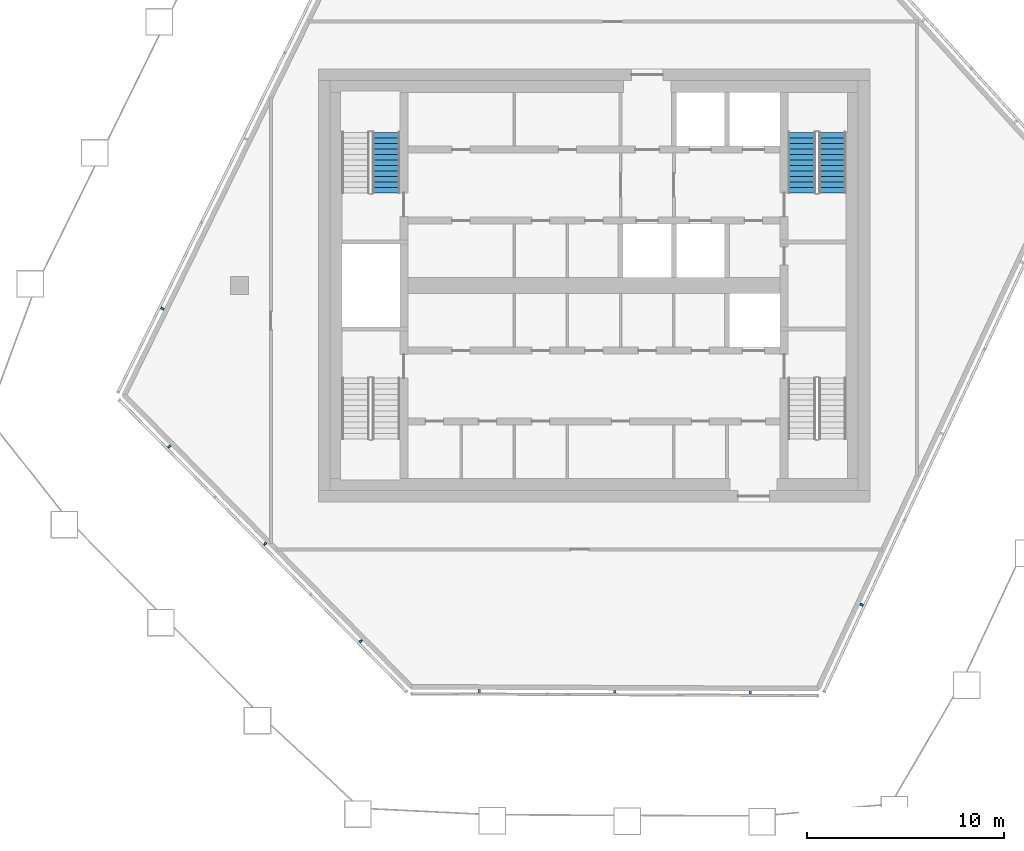
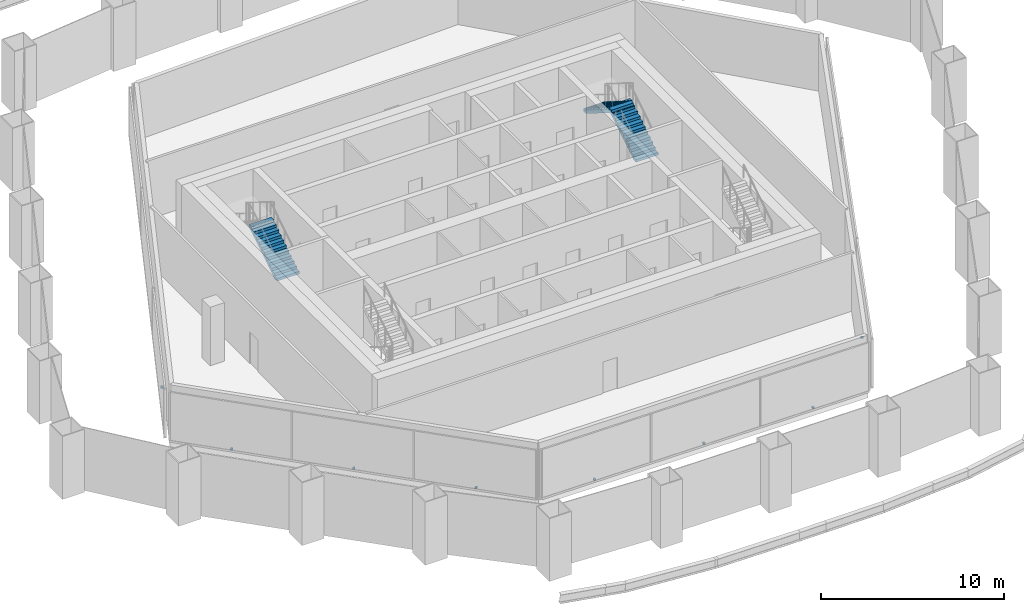
# One storey, part 10 of 18: 8 discrete accessories, 3 stair flights, 6 elements without a shape of their own.
"""IFC4 building model written with IfcOpenShell, lengths in metres."""

from ifc_helpers import new_model, si_unit, direction, frame, origin, origin_2d, place, context, subcontext, project, spatial, polyline, rectangle, outline, extrude, material, layer, layer_set, type_object, element, aggregate, save


model = new_model("IFC4")

# Units and contexts
model_context = context("Model", 3, precision=1e-05, world=origin(), true_north=direction((0.0, 1.0)))
body_context = subcontext(model_context, "Body", "Model", "MODEL_VIEW")
ifc_project = project(units=[si_unit("LENGTHUNIT", "METRE"), si_unit("AREAUNIT", "SQUARE_METRE"), si_unit("VOLUMEUNIT", "CUBIC_METRE"), si_unit("PLANEANGLEUNIT", "RADIAN"), si_unit("MASSUNIT", "GRAM", prefix="KILO")], contexts=[model_context])

# Site, building, storey
site_placement = place(None, origin())
site = spatial("IfcSite", under=ifc_project, at=site_placement, CompositionType="ELEMENT")
building_placement = place(site_placement, origin())
building = spatial("IfcBuilding", under=site, at=building_placement, Name="Dongbaek Canopy Tower", CompositionType="ELEMENT")
storey_placement = place(building_placement, frame((0.0, 0.0, 371.60009765625)))
storey = spatial("IfcBuildingStorey", under=building, at=storey_placement, Name="L80", CompositionType="ELEMENT", Elevation=371.60009765625)

# Stair, stair flights
ifc_material_1 = material(Name="Concrete C40/50", Category="concrete")
stair_type = type_object("IfcStairType", Name="Core exit stair", PredefinedType="HALF_TURN_STAIR", material=ifc_material_1)
stair_1_placement = place(storey_placement, origin())
stair_1 = element("IfcStair", 1, at=stair_1_placement, inside=storey, type_object=stair_type, Name="L80 exit stair A", PredefinedType="HALF_TURN_STAIR")
ifc_material_2 = material(Name="Concrete C40/50", Category="concrete")
ifc_layer_1 = layer(ifc_material_2, 0.14990234375)
ifc_layer_set_1 = layer_set([ifc_layer_1], Name="Core stair flight 150 waist")
stair_flight_type = type_object("IfcStairFlightType", Name="Core stair flight 150 waist", PredefinedType="STRAIGHT", material=ifc_layer_set_1)
stair_flight_1_placement = place(storey_placement, frame((12.10009765625, 4.699951171875, 0.0), z_axis=(0.0, 0.0, 1.0), x_axis=(0.0, 1.0, 0.0)))
stair_flight_1 = element("IfcStairFlight", 2, at=stair_flight_1_placement, type_object=stair_flight_type, Name="ST-A flight 1", NumberOfRisers=12, NumberOfTreads=11, PredefinedType="STRAIGHT", RiserHeight=0.175, TreadLength=0.28, context=body_context, shape_type="SweptSolid", body=[
    extrude(outline(polyline([(0.0, 0.0), (0.0, 0.175048828125), (0.280029296875, 0.175048828125), (0.280029296875, 0.35009765625), (0.56005859375, 0.35009765625), (0.56005859375, 0.52490234375), (0.840087890625, 0.52490234375), (0.840087890625, 0.699951171875), (1.1201171875, 0.699951171875), (1.1201171875, 0.875), (1.39990234375, 0.875), (1.39990234375, 1.050048828125), (1.679931640625, 1.050048828125), (1.679931640625, 1.22509765625), (1.9599609375, 1.22509765625), (1.9599609375, 1.39990234375), (2.239990234375, 1.39990234375), (2.239990234375, 1.574951171875), (2.52001953125, 1.574951171875), (2.52001953125, 1.75), (2.800048828125, 1.75), (2.800048828125, 1.925048828125), (3.080078125, 1.925048828125), (3.080078125, 2.10009765625), (3.080078125, 1.748291015625), (0.28271484375, 0.0), (0.0, 0.0)])), frame((0.0, 0.699951171875, 0.0), z_axis=(0.0, -1.0, 0.0), x_axis=(1.0, 0.0, 0.0)), (0.0, 0.0, 1.0), 1.39990234375),
])
stair_flight_2_placement = place(storey_placement, frame((10.550048828125, 7.780029296875, 2.099853515625), z_axis=(0.0, 0.0, 1.0), x_axis=(0.0, -1.0, 0.0)))
stair_flight_2 = element("IfcStairFlight", 3, at=stair_flight_2_placement, type_object=stair_flight_type, Name="ST-A flight 2", NumberOfRisers=12, NumberOfTreads=11, PredefinedType="STRAIGHT", RiserHeight=0.175, TreadLength=0.28, context=body_context, shape_type="SweptSolid", body=[
    extrude(outline(polyline([(0.0, 0.0), (0.0, 0.175048828125), (0.280029296875, 0.175048828125), (0.280029296875, 0.35009765625), (0.56005859375, 0.35009765625), (0.56005859375, 0.52490234375), (0.840087890625, 0.52490234375), (0.840087890625, 0.699951171875), (1.1201171875, 0.699951171875), (1.1201171875, 0.875), (1.39990234375, 0.875), (1.39990234375, 1.050048828125), (1.679931640625, 1.050048828125), (1.679931640625, 1.22509765625), (1.9599609375, 1.22509765625), (1.9599609375, 1.39990234375), (2.239990234375, 1.39990234375), (2.239990234375, 1.574951171875), (2.52001953125, 1.574951171875), (2.52001953125, 1.75), (2.800048828125, 1.75), (2.800048828125, 1.925048828125), (3.080078125, 1.925048828125), (3.080078125, 2.10009765625), (3.080078125, 1.748291015625), (0.28271484375, 0.0), (0.0, 0.0)])), frame((0.0, 0.699951171875, 0.0), z_axis=(0.0, -1.0, 0.0), x_axis=(1.0, 0.0, 0.0)), (0.0, 0.0, 1.0), 1.39990234375),
])
aggregate(stair_1, [stair_flight_1, stair_flight_2])

# Stair, stair flight
stair_2_placement = place(storey_placement, origin())
stair_2 = element("IfcStair", 4, at=stair_2_placement, inside=storey, type_object=stair_type, Name="L80 exit stair C", PredefinedType="HALF_TURN_STAIR")
stair_flight_3_placement = place(storey_placement, frame((-10.550048828125, 4.699951171875, 0.0), z_axis=(0.0, 0.0, 1.0), x_axis=(0.0, 1.0, 0.0)))
stair_flight_3 = element("IfcStairFlight", 5, at=stair_flight_3_placement, type_object=stair_flight_type, Name="ST-C flight 1", NumberOfRisers=12, NumberOfTreads=11, PredefinedType="STRAIGHT", RiserHeight=0.175, TreadLength=0.28, context=body_context, shape_type="SweptSolid", body=[
    extrude(outline(polyline([(0.0, 0.0), (0.0, 0.175048828125), (0.280029296875, 0.175048828125), (0.280029296875, 0.35009765625), (0.56005859375, 0.35009765625), (0.56005859375, 0.52490234375), (0.840087890625, 0.52490234375), (0.840087890625, 0.699951171875), (1.1201171875, 0.699951171875), (1.1201171875, 0.875), (1.39990234375, 0.875), (1.39990234375, 1.050048828125), (1.679931640625, 1.050048828125), (1.679931640625, 1.22509765625), (1.9599609375, 1.22509765625), (1.9599609375, 1.39990234375), (2.239990234375, 1.39990234375), (2.239990234375, 1.574951171875), (2.52001953125, 1.574951171875), (2.52001953125, 1.75), (2.800048828125, 1.75), (2.800048828125, 1.925048828125), (3.080078125, 1.925048828125), (3.080078125, 2.10009765625), (3.080078125, 1.748291015625), (0.28271484375, 0.0), (0.0, 0.0)])), frame((0.0, 0.699951171875, 0.0), z_axis=(0.0, -1.0, 0.0), x_axis=(1.0, 0.0, 0.0)), (0.0, 0.0, 1.0), 1.39990234375),
])
aggregate(stair_2, [stair_flight_3])

# Curtain wall, discrete accessories
ifc_material_3 = material(Name="Aluminium 6063-T6 pale anodised", Category="aluminium")
ifc_layer_2 = layer(ifc_material_3, 0.14990234375)
ifc_layer_set_2 = layer_set([ifc_layer_2], Name="CW-7 louvre curtain wall")
curtain_wall_type = type_object("IfcCurtainWallType", Name="CW-7 louvre curtain wall", PredefinedType="NOTDEFINED", material=ifc_layer_set_2)
curtain_wall_1_placement = place(storey_placement, origin())
curtain_wall_1 = element("IfcCurtainWall", 6, at=curtain_wall_1_placement, inside=storey, type_object=curtain_wall_type, Name="CW-7 louvre wall L80 F0", PredefinedType="NOTDEFINED")
ifc_material_4 = material(Name="Galvanised steel S355 bracket", Category="steel")
discrete_accessory_type = type_object("IfcDiscreteAccessoryType", Name="Louvre bracket BR1", PredefinedType="BRACKET", material=ifc_material_4)
discrete_accessory_1_placement = place(storey_placement, frame((-5.827880859375, -20.592041015625, 0.18994140625), z_axis=(0.0, 0.0, 1.0), x_axis=(0.999990026762, -0.004466136555, 0.0)))
discrete_accessory_1 = element("IfcDiscreteAccessory", 7, at=discrete_accessory_1_placement, type_object=discrete_accessory_type, Name="Louvre bracket L80 F0.1.1", PredefinedType="BRACKET", context=body_context, shape_type="SweptSolid", body=[
    extrude(rectangle(XDim=0.1201171875, YDim=0.14990234375, at=origin_2d()), origin(), (0.0, 0.0, 1.0), 0.10009765625),
])
discrete_accessory_2_placement = place(storey_placement, frame((1.050048828125, -20.622802734375, 0.18994140625), z_axis=(0.0, 0.0, 1.0), x_axis=(0.999990026762, -0.004466136555, 0.0)))
discrete_accessory_2 = element("IfcDiscreteAccessory", 8, at=discrete_accessory_2_placement, type_object=discrete_accessory_type, Name="Louvre bracket L80 F0.1.2", PredefinedType="BRACKET", context=body_context, shape_type="SweptSolid", body=[
    extrude(rectangle(XDim=0.1201171875, YDim=0.14990234375, at=origin_2d()), origin(), (0.0, 0.0, 1.0), 0.10009765625),
])
discrete_accessory_3_placement = place(storey_placement, frame((7.927734375, -20.6533203125, 0.18994140625), z_axis=(0.0, 0.0, 1.0), x_axis=(0.999990026762, -0.004466136555, 0.0)))
discrete_accessory_3 = element("IfcDiscreteAccessory", 9, at=discrete_accessory_3_placement, type_object=discrete_accessory_type, Name="Louvre bracket L80 F0.1.3", PredefinedType="BRACKET", context=body_context, shape_type="SweptSolid", body=[
    extrude(rectangle(XDim=0.1201171875, YDim=0.14990234375, at=origin_2d()), origin(), (0.0, 0.0, 1.0), 0.10009765625),
])
aggregate(curtain_wall_1, [discrete_accessory_1, discrete_accessory_2, discrete_accessory_3])

# Curtain wall, discrete accessory
curtain_wall_2_placement = place(storey_placement, origin())
curtain_wall_2 = element("IfcCurtainWall", 10, at=curtain_wall_2_placement, inside=storey, type_object=curtain_wall_type, Name="CW-7 louvre wall L80 F1", PredefinedType="NOTDEFINED")
discrete_accessory_4_placement = place(storey_placement, frame((13.58447265625, -16.20654296875, 0.18994140625), z_axis=(0.0, 0.0, 1.0), x_axis=(0.42412286138, 0.905604659029, 0.0)))
discrete_accessory_4 = element("IfcDiscreteAccessory", 11, at=discrete_accessory_4_placement, type_object=discrete_accessory_type, Name="Louvre bracket L80 F1.1.1", PredefinedType="BRACKET", context=body_context, shape_type="SweptSolid", body=[
    extrude(rectangle(XDim=0.1201171875, YDim=0.14990234375, at=origin_2d()), origin(), (0.0, 0.0, 1.0), 0.10009765625),
])
aggregate(curtain_wall_2, [discrete_accessory_4])

curtain_wall_3_placement = place(storey_placement, origin())
curtain_wall_3 = element("IfcCurtainWall", 12, at=curtain_wall_3_placement, inside=storey, type_object=curtain_wall_type, Name="CW-7 louvre wall L80 F4", PredefinedType="NOTDEFINED")
discrete_accessory_5_placement = place(storey_placement, frame((-21.911865234375, -1.171875, 0.18994140625), z_axis=(0.0, 0.0, 1.0), x_axis=(-0.441341619439, -0.897339163834, 0.0)))
discrete_accessory_5 = element("IfcDiscreteAccessory", 13, at=discrete_accessory_5_placement, type_object=discrete_accessory_type, Name="Louvre bracket L80 F4.1.3", PredefinedType="BRACKET", context=body_context, shape_type="SweptSolid", body=[
    extrude(rectangle(XDim=0.1201171875, YDim=0.14990234375, at=origin_2d()), origin(), (0.0, 0.0, 1.0), 0.10009765625),
])
aggregate(curtain_wall_3, [discrete_accessory_5])

# Curtain wall, discrete accessories
curtain_wall_4_placement = place(storey_placement, origin())
curtain_wall_4 = element("IfcCurtainWall", 14, at=curtain_wall_4_placement, inside=storey, type_object=curtain_wall_type, Name="CW-7 louvre wall L80 F5", PredefinedType="NOTDEFINED")
discrete_accessory_6_placement = place(storey_placement, frame((-21.562744140625, -8.176513671875, 0.18994140625), z_axis=(0.0, 0.0, 1.0), x_axis=(0.70171826998, -0.712454538603, 0.0)))
discrete_accessory_6 = element("IfcDiscreteAccessory", 15, at=discrete_accessory_6_placement, type_object=discrete_accessory_type, Name="Louvre bracket L80 F5.1.1", PredefinedType="BRACKET", context=body_context, shape_type="SweptSolid", body=[
    extrude(rectangle(XDim=0.1201171875, YDim=0.14990234375, at=origin_2d()), origin(), (0.0, 0.0, 1.0), 0.10009765625),
])
discrete_accessory_7_placement = place(storey_placement, frame((-16.700927734375, -13.11279296875, 0.18994140625), z_axis=(0.0, 0.0, 1.0), x_axis=(0.70171826998, -0.712454538603, 0.0)))
discrete_accessory_7 = element("IfcDiscreteAccessory", 16, at=discrete_accessory_7_placement, type_object=discrete_accessory_type, Name="Louvre bracket L80 F5.1.2", PredefinedType="BRACKET", context=body_context, shape_type="SweptSolid", body=[
    extrude(rectangle(XDim=0.1201171875, YDim=0.14990234375, at=origin_2d()), origin(), (0.0, 0.0, 1.0), 0.10009765625),
])
discrete_accessory_8_placement = place(storey_placement, frame((-11.839111328125, -18.048828125, 0.18994140625), z_axis=(0.0, 0.0, 1.0), x_axis=(0.70171826998, -0.712454538603, 0.0)))
discrete_accessory_8 = element("IfcDiscreteAccessory", 17, at=discrete_accessory_8_placement, type_object=discrete_accessory_type, Name="Louvre bracket L80 F5.1.3", PredefinedType="BRACKET", context=body_context, shape_type="SweptSolid", body=[
    extrude(rectangle(XDim=0.1201171875, YDim=0.14990234375, at=origin_2d()), origin(), (0.0, 0.0, 1.0), 0.10009765625),
])
aggregate(curtain_wall_4, [discrete_accessory_6, discrete_accessory_7, discrete_accessory_8])

save(model, "model.ifc")
